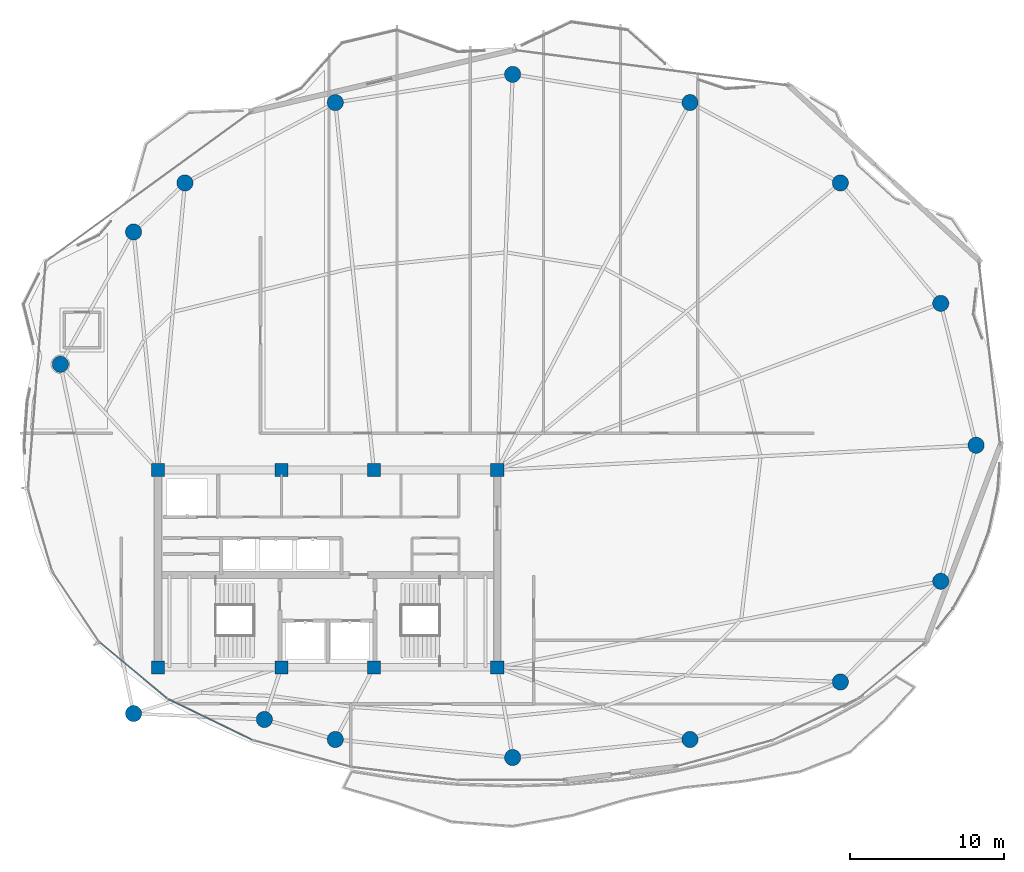
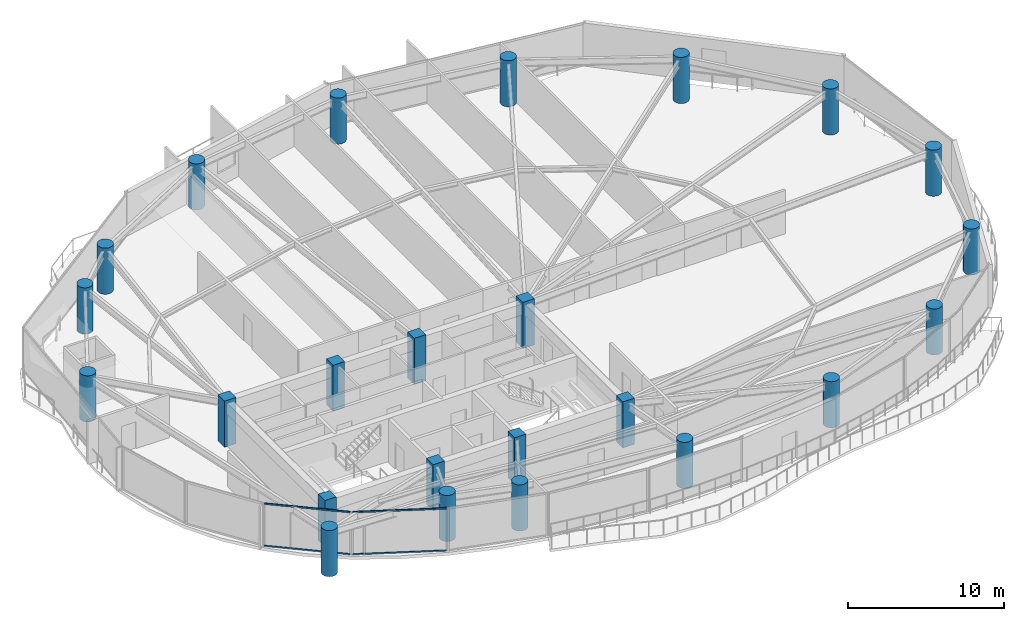
# One storey, part 1 of 30: 24 columns, 4 members, 2 elements without a shape of their own.
"""IFC4 building model written with IfcOpenShell, lengths in metres."""

from ifc_helpers import new_model, si_unit, direction, frame, origin, origin_2d, place, context, subcontext, project, spatial, rectangle, hollow_rectangle, circle, extrude, material, layer, layer_set, material_profile, profile_set, type_object, element, aggregate, save


model = new_model("IFC4")

# Units and contexts
model_context = context("Model", 3, precision=1e-05, world=origin(), true_north=direction((0.0, 1.0)))
body_context = subcontext(model_context, "Body", "Model", "MODEL_VIEW")
ifc_project = project(units=[si_unit("LENGTHUNIT", "METRE"), si_unit("AREAUNIT", "SQUARE_METRE"), si_unit("VOLUMEUNIT", "CUBIC_METRE"), si_unit("PLANEANGLEUNIT", "RADIAN"), si_unit("MASSUNIT", "GRAM", prefix="KILO")], contexts=[model_context])

# Site, building, storey
site_placement = place(None, origin())
site = spatial("IfcSite", under=ifc_project, at=site_placement, CompositionType="ELEMENT")
building_placement = place(site_placement, origin())
building = spatial("IfcBuilding", under=site, at=building_placement, Name="Kazevale Care Tower and Concert Hall", CompositionType="ELEMENT")
storey_placement = place(building_placement, frame((0.0, 0.0, 242.39990234375)))
storey = spatial("IfcBuildingStorey", under=building, at=storey_placement, Name="L64", CompositionType="ELEMENT", Elevation=242.39990234375)

# Columns
ifc_material_1 = material(Name="Concrete C50", Category="concrete")
ifc_material_profile_1 = material_profile(ifc_material_1, rectangle(XDim=0.85009765625, YDim=0.85009765625, at=origin_2d()), Name="RC-SQ850")
ifc_profile_set_1 = profile_set([ifc_material_profile_1], Name="Concrete C50")
column_type_1 = type_object("IfcColumnType", Name="Core Column SQ850 C50", PredefinedType="COLUMN", material=ifc_profile_set_1)
for number, where, z_axis, x_axis, name in (
    (1, (22.0, 23.60009765625, 0.0), (0.0, 0.0, 1.0), (1.0, 0.0, 0.0), "col:L64:CC-01"),
    (2, (30.0, 23.60009765625, 0.0), (0.0, 0.0, 1.0), (1.0, 0.0, 0.0), "col:L64:CC-02"),
    (3, (36.0, 23.60009765625, 0.0), (0.0, 0.0, 1.0), (1.0, 0.0, 0.0), "col:L64:CC-03"),
    (4, (44.0, 23.60009765625, 0.0), (0.0, 0.0, 1.0), (1.0, 0.0, 0.0), "col:L64:CC-04"),
    (5, (44.0, 36.39990234375, 0.0), (0.0, 0.0, 1.0), (1.0, 0.0, 0.0), "col:L64:CC-05"),
    (6, (36.0, 36.39990234375, 0.0), (0.0, 0.0, 1.0), (1.0, 0.0, 0.0), "col:L64:CC-06"),
    (7, (30.0, 36.39990234375, 0.0), (0.0, 0.0, 1.0), (1.0, 0.0, 0.0), "col:L64:CC-07"),
    (8, (22.0, 36.39990234375, 0.0), (0.0, 0.0, 1.0), (1.0, 0.0, 0.0), "col:L64:CC-08"),
):
    element("IfcColumn", number, at=place(storey_placement, frame(where, z_axis=z_axis, x_axis=x_axis)), inside=storey, type_object=column_type_1, Name=name, PredefinedType="COLUMN", context=body_context, shape_type="SweptSolid", body=[
        extrude(rectangle(XDim=0.85009765625, YDim=0.85009765625, at=origin_2d()), origin(), (0.0, 0.0, 1.0), 3.60009765625),
    ])
ifc_material_profile_2 = material_profile(ifc_material_1, circle(Radius=0.52490234375, at=origin_2d()), Name="RC-CIR1050")
ifc_profile_set_2 = profile_set([ifc_material_profile_2], Name="Concrete C50")
column_type_2 = type_object("IfcColumnType", Name="Perimeter Column CIR1050 C50", PredefinedType="COLUMN", material=ifc_profile_set_2)
for number, where, z_axis, x_axis, name in (
    (9, (75.050048828125, 38.0, 0.0), (0.0, 0.0, 1.0), (1.0, 0.0, 0.0), "col:L64:PC-01"),
    (10, (72.760009765625, 47.199951171875, 0.0), (0.0, 0.0, 1.0), (1.0, 0.0, 0.0), "col:L64:PC-02"),
    (11, (66.25, 55.010009765625, 0.0), (0.0, 0.0, 1.0), (1.0, 0.0, 0.0), "col:L64:PC-03"),
    (12, (56.5, 60.219970703125, 0.0), (0.0, 0.0, 1.0), (1.0, 0.0, 0.0), "col:L64:PC-04"),
    (13, (45.0, 62.050048828125, 0.0), (0.0, 0.0, 1.0), (1.0, 0.0, 0.0), "col:L64:PC-05"),
    (14, (33.5, 60.219970703125, 0.0), (0.0, 0.0, 1.0), (1.0, 0.0, 0.0), "col:L64:PC-06"),
    (15, (23.75, 55.010009765625, 0.0), (0.0, 0.0, 1.0), (1.0, 0.0, 0.0), "col:L64:PC-07"),
    (16, (20.419921875, 51.830078125, 0.0), (0.0, 0.0, 1.0), (1.0, 0.0, 0.0), "col:L64:PC-08"),
    (17, (15.669921875, 43.25, 0.0), (0.0, 0.0, 1.0), (1.0, 0.0, 0.0), "col:L64:PC-09"),
    (18, (20.419921875, 20.60009765625, 0.0), (0.0, 0.0, 1.0), (1.0, 0.0, 0.0), "col:L64:PC-10"),
    (19, (28.89990234375, 20.219970703125, 0.0), (0.0, 0.0, 1.0), (1.0, 0.0, 0.0), "col:L64:PC-11"),
    (20, (33.5, 18.919921875, 0.0), (0.0, 0.0, 1.0), (1.0, 0.0, 0.0), "col:L64:PC-12"),
    (21, (45.0, 17.75, 0.0), (0.0, 0.0, 1.0), (1.0, 0.0, 0.0), "col:L64:PC-13"),
    (22, (56.5, 18.919921875, 0.0), (0.0, 0.0, 1.0), (1.0, 0.0, 0.0), "col:L64:PC-14"),
    (23, (66.25, 22.64990234375, 0.0), (0.0, 0.0, 1.0), (1.0, 0.0, 0.0), "col:L64:PC-15"),
    (24, (72.760009765625, 29.179931640625, 0.0), (0.0, 0.0, 1.0), (1.0, 0.0, 0.0), "col:L64:PC-16"),
):
    element("IfcColumn", number, at=place(storey_placement, frame(where, z_axis=z_axis, x_axis=x_axis)), inside=storey, type_object=column_type_2, Name=name, PredefinedType="COLUMN", context=body_context, shape_type="SweptSolid", body=[
        extrude(circle(Radius=0.52490234375, at=origin_2d()), origin(), (0.0, 0.0, 1.0), 3.60009765625),
    ])

# Curtain wall, members
ifc_material_2 = material(Name="Aluminium 6063-T6 and Low-E Glass", Category="aluminium")
ifc_layer = layer(ifc_material_2, 0.179931640625)
ifc_layer_set = layer_set([ifc_layer], Name="Aluminium 6063-T6 and Low-E Glass")
curtain_wall_type = type_object("IfcCurtainWallType", Name="Sheltered Concave Balcony Curtain Wall CW-5", PredefinedType="NOTDEFINED", material=ifc_layer_set)
curtain_wall_1_placement = place(storey_placement, origin())
curtain_wall_1 = element("IfcCurtainWall", 25, at=curtain_wall_1_placement, inside=storey, type_object=curtain_wall_type, Name="cw:L64:f09", PredefinedType="NOTDEFINED")
ifc_material_3 = material(Name="Aluminium 6063-T6", Category="aluminium")
ifc_material_profile_3 = material_profile(ifc_material_3, hollow_rectangle(XDim=0.074951171875, YDim=0.1201171875, WallThickness=0.00390625, at=origin_2d()), Name="ALU75x120x4")
ifc_profile_set_3 = profile_set([ifc_material_profile_3], Name="Aluminium 6063-T6")
member_type = type_object("IfcMemberType", Name="CW-5 Transom ALU75x120x4", PredefinedType="USERDEFINED", material=ifc_profile_set_3)
member_1_placement = place(storey_placement, frame((28.07666015625, 18.90576171875, 0.03759765625), z_axis=(-0.899342308406, 0.437245254189, 0.0), x_axis=(-0.437245254189, -0.899342308406, 0.0)))
member_1 = element("IfcMember", 26, at=member_1_placement, type_object=member_type, Name="CW-5 transom 1.1", ObjectType="TRANSOM", PredefinedType="USERDEFINED", context=body_context, shape_type="SweptSolid", body=[
    extrude(hollow_rectangle(XDim=0.074951171875, YDim=0.1201171875, WallThickness=0.00390625, at=origin_2d()), origin(), (0.0, 0.0, 1.0), 6.00244140625),
])
member_2_placement = place(storey_placement, frame((28.07666015625, 18.90576171875, 3.322509765625), z_axis=(-0.899342308406, 0.437245254189, 0.0), x_axis=(-0.437245254189, -0.899342308406, 0.0)))
member_2 = element("IfcMember", 27, at=member_2_placement, type_object=member_type, Name="CW-5 transom 1.2", ObjectType="TRANSOM", PredefinedType="USERDEFINED", context=body_context, shape_type="SweptSolid", body=[
    extrude(hollow_rectangle(XDim=0.074951171875, YDim=0.1201171875, WallThickness=0.00390625, at=origin_2d()), origin(), (0.0, 0.0, 1.0), 6.00244140625),
])
aggregate(curtain_wall_1, [member_1, member_2])

curtain_wall_2_placement = place(storey_placement, origin())
curtain_wall_2 = element("IfcCurtainWall", 28, at=curtain_wall_2_placement, inside=storey, type_object=curtain_wall_type, Name="cw:L64:f10", PredefinedType="NOTDEFINED")
member_3_placement = place(storey_placement, frame((22.553466796875, 21.611083984375, 0.03759765625), z_axis=(-0.768432829708, 0.639930454211, 0.0), x_axis=(-0.639930454211, -0.768432829708, 0.0)))
member_3 = element("IfcMember", 29, at=member_3_placement, type_object=member_type, Name="CW-5 transom 1.1", ObjectType="TRANSOM", PredefinedType="USERDEFINED", context=body_context, shape_type="SweptSolid", body=[
    extrude(hollow_rectangle(XDim=0.074951171875, YDim=0.1201171875, WallThickness=0.00390625, at=origin_2d()), origin(), (0.0, 0.0, 1.0), 5.580078125),
])
member_4_placement = place(storey_placement, frame((22.553466796875, 21.611083984375, 3.322509765625), z_axis=(-0.768432829708, 0.639930454211, 0.0), x_axis=(-0.639930454211, -0.768432829708, 0.0)))
member_4 = element("IfcMember", 30, at=member_4_placement, type_object=member_type, Name="CW-5 transom 1.2", ObjectType="TRANSOM", PredefinedType="USERDEFINED", context=body_context, shape_type="SweptSolid", body=[
    extrude(hollow_rectangle(XDim=0.074951171875, YDim=0.1201171875, WallThickness=0.00390625, at=origin_2d()), origin(), (0.0, 0.0, 1.0), 5.580078125),
])
aggregate(curtain_wall_2, [member_3, member_4])

save(model, "model.ifc")
